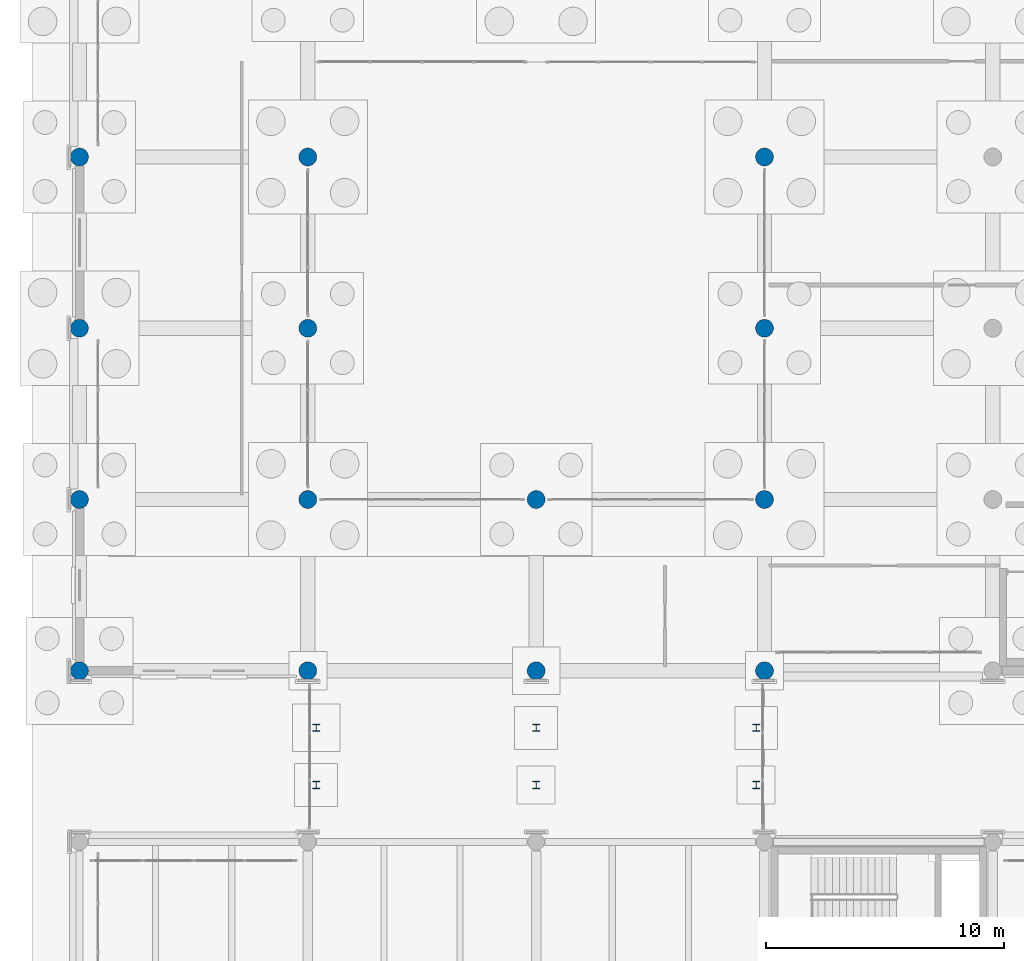
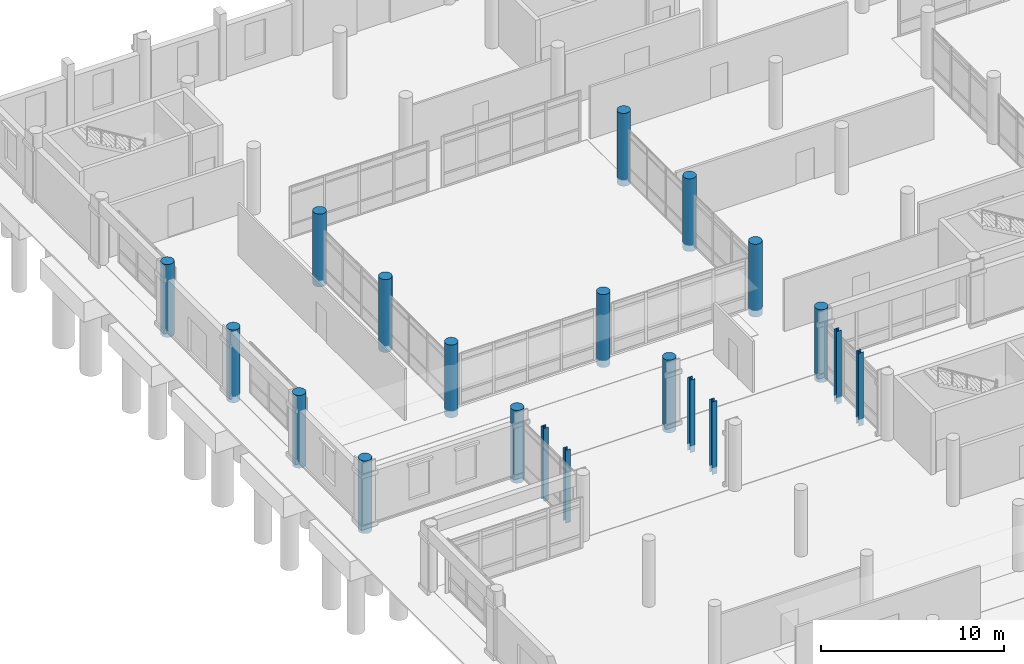
# One storey, part 16 of 196: 20 columns.
"""IFC4 building model written with IfcOpenShell, lengths in metres."""

import ifcopenshell
import ifcopenshell.guid

model = None  # the IFC model being written
_history = None  # IfcOwnerHistory: only IFC2X3 demands one
_inside = {}  # id of a spatial element -> (the spatial element, [elements in it])
_under = {}  # id of a project, library or spatial element -> (it, [spatial elements below it])
_declared = {}  # id of a project -> (the project, [libraries it declares])
_typed = {}  # id of a type object -> (the type object, [elements of that type])
_made_of = {}  # id of a material, layer set ... -> (it, [elements and type objects made of it])


def new_model(schema):
    """Start an empty IFC model of exactly this schema.

    Asked for "IFC4X3", IfcOpenShell would pick the latest addendum, in which some entities
    have other attributes; the version numbers below select the first issue.
    IFC2X3 requires an IfcOwnerHistory on every rooted entity: one is made here for all.
    """
    global model, _history
    if schema == "IFC4X3":
        model = ifcopenshell.file(schema_version=(4, 3, 0, 0))
    else:
        model = ifcopenshell.file(schema=schema)
    _inside.clear()
    _under.clear()
    _declared.clear()
    _typed.clear()
    _made_of.clear()
    _history = None
    if model.schema == "IFC2X3":
        org = make("IfcOrganization", Name="unknown")
        user = make(
            "IfcPersonAndOrganization",
            ThePerson=make("IfcPerson", FamilyName="unknown"),
            TheOrganization=org,
        )
        app = make(
            "IfcApplication",
            ApplicationDeveloper=org,
            Version="unknown",
            ApplicationFullName="unknown",
            ApplicationIdentifier="unknown",
        )
        _history = make(
            "IfcOwnerHistory",
            OwningUser=user,
            OwningApplication=app,
            ChangeAction="ADDED",
            CreationDate=0,
        )
    return model


def make(cls, **values):
    """One entity of the class cls with the attributes given. An attribute that is None is left unset."""
    return model.create_entity(
        cls, **{name: value for name, value in values.items() if value is not None}
    )


def rooted(cls, **values):
    """An entity with a GlobalId (a new one), such as an element, a storey or a relation."""
    return make(cls, GlobalId=ifcopenshell.guid.new(), OwnerHistory=_history, **values)


def si_unit(unit_type, name, prefix=None):
    """IfcSIUnit, for example si_unit("LENGTHUNIT", "METRE", prefix="MILLI")."""
    return make("IfcSIUnit", UnitType=unit_type, Prefix=prefix, Name=name)


def assignment(units):
    """IfcUnitAssignment: the units of a project."""
    return None if units is None else make("IfcUnitAssignment", Units=units)


def point(xyz):
    """IfcCartesianPoint."""
    return None if xyz is None else make("IfcCartesianPoint", Coordinates=xyz)


def direction(xyz):
    """IfcDirection."""
    return None if xyz is None else make("IfcDirection", DirectionRatios=xyz)


def frame(location, z_axis=None, x_axis=None):
    """IfcAxis2Placement3D, a coordinate frame: its origin and axes. An axis left out is left unset."""
    return make(
        "IfcAxis2Placement3D",
        Location=point(location),
        Axis=direction(z_axis),
        RefDirection=direction(x_axis),
    )


def frame_2d(location, x_axis=None):
    """IfcAxis2Placement2D, a coordinate frame in the plane: its origin and x axis."""
    return make(
        "IfcAxis2Placement2D", Location=point(location), RefDirection=direction(x_axis)
    )


def origin():
    """The frame at (0, 0, 0) with its axes left unset."""
    return frame((0.0, 0.0, 0.0))


def origin_2d():
    """The frame at (0, 0) in the plane with its x axis left unset."""
    return frame_2d((0.0, 0.0))


def place(relative_to, where):
    """IfcLocalPlacement: puts the frame where relative to a parent placement (None: the world)."""
    return make(
        "IfcLocalPlacement", PlacementRelTo=relative_to, RelativePlacement=where
    )


def context(
    kind, dimensions, precision=None, world=None, true_north=None, identifier=None
):
    """IfcGeometricRepresentationContext, for example the 3D "Model" context."""
    return make(
        "IfcGeometricRepresentationContext",
        ContextIdentifier=identifier,
        ContextType=kind,
        CoordinateSpaceDimension=dimensions,
        Precision=precision,
        WorldCoordinateSystem=world,
        TrueNorth=true_north,
    )


def subcontext(parent, identifier, kind, view, scale=None):
    """IfcGeometricRepresentationSubContext, for example "Body" below "Model"."""
    return make(
        "IfcGeometricRepresentationSubContext",
        ContextIdentifier=identifier,
        ContextType=kind,
        ParentContext=parent,
        TargetScale=scale,
        TargetView=view,
    )


def project(units=None, contexts=None):
    """IfcProject with its units and contexts."""
    return rooted(
        "IfcProject",
        Name="project",
        RepresentationContexts=contexts,
        UnitsInContext=assignment(units),
    )


def spatial(cls, under=None, at=None, **own):
    """A site, building, storey or space (cls), placed at a placement, below another one or the project."""
    s = rooted(cls, ObjectPlacement=at, **own)
    if under is not None:
        _under.setdefault(under.id(), (under, []))[1].append(s)
    return s


def profile(cls, at=None, kind="AREA", **sizes):
    """A parametric profile (cls). Its sizes go by their IFC names, for example OverallWidth=200.0."""
    return make(cls, ProfileType=kind, Position=at, **sizes)


def circle(**sizes):
    """IfcCircleProfileDef."""
    return profile("IfcCircleProfileDef", **sizes)


def i_section(**sizes):
    """IfcIShapeProfileDef."""
    return profile("IfcIShapeProfileDef", **sizes)


def extrude(swept, where, along, depth):
    """IfcExtrudedAreaSolid: the profile swept, set in the frame where, extruded along a direction by depth."""
    return make(
        "IfcExtrudedAreaSolid",
        SweptArea=swept,
        Position=where,
        ExtrudedDirection=direction(along),
        Depth=depth,
    )


def shape(context_of_items, identifier, shape_type, items):
    """IfcShapeRepresentation: the items that make up one representation, for example the "Body"."""
    return make(
        "IfcShapeRepresentation",
        ContextOfItems=context_of_items,
        RepresentationIdentifier=identifier,
        RepresentationType=shape_type,
        Items=items,
    )


def material(Name=None, Category=None):
    """IfcMaterial."""
    return make("IfcMaterial", Name=Name, Category=Category)


def material_profile(
    of_material, cross_section, Name=None, Category=None, Priority=None
):
    """IfcMaterialProfile: a cross section and its material."""
    return make(
        "IfcMaterialProfile",
        Name=Name,
        Material=of_material,
        Profile=cross_section,
        Priority=Priority,
        Category=Category,
    )


def profile_set(profiles, Name=None, composite=None):
    """IfcMaterialProfileSet."""
    return make(
        "IfcMaterialProfileSet",
        Name=Name,
        MaterialProfiles=profiles,
        CompositeProfile=composite,
    )


def made_of(thing, what):
    """Note that an element or type object is made of a material, layer set ...; save() writes the relation."""
    if what is not None:
        _made_of.setdefault(what.id(), (what, []))[1].append(thing)
    return thing


def type_object(cls, material=None, **own):
    """A type object (cls), such as IfcWallType, which elements share."""
    return made_of(rooted(cls, **own), material)


def element(
    cls,
    number,
    at=None,
    inside=None,
    cuts=None,
    type_object=None,
    material=None,
    context=None,
    identifier="Body",
    shape_type=None,
    held_by="IfcProductDefinitionShape",
    body=None,
    shapes=None,
    **own,
):
    """One element of the class cls, such as IfcWall. Its Tag is "e" and its number.

    at: its placement. inside: the storey or other place that contains it. cuts: it is an
    opening in that element (IfcRelVoidsElement). A single representation is given by context,
    identifier, shape_type and body (its items); several are given by shapes. held_by: the class
    of the entity that holds the representations. save() writes the other relations.
    """
    e = rooted(cls, Tag="e%d" % number, ObjectPlacement=at, **own)
    if body is not None:
        shapes = [shape(context, identifier, shape_type, body)]
    if shapes is not None:
        e.Representation = make(held_by, Representations=shapes)
    if inside is not None:
        _inside.setdefault(inside.id(), (inside, []))[1].append(e)
    if cuts is not None:
        rooted(
            "IfcRelVoidsElement", RelatingBuildingElement=cuts, RelatedOpeningElement=e
        )
    if type_object is not None:
        _typed.setdefault(type_object.id(), (type_object, []))[1].append(e)
    return made_of(e, material)


def aggregate(whole, parts):
    """IfcRelAggregates: a whole, such as a stair, and the parts it consists of."""
    return rooted("IfcRelAggregates", RelatingObject=whole, RelatedObjects=parts)


def save(model, path):
    """Write the relations noted so far, then the file.

    IfcRelAggregates (storeys below a building ...), IfcRelContainedInSpatialStructure (elements
    in a storey), IfcRelDefinesByType, IfcRelAssociatesMaterial and IfcRelDeclares: one each for
    every whole, place, type object, material and project.
    """
    for whole, parts in _under.values():
        aggregate(whole, parts)
    for where, things in _inside.values():
        rooted(
            "IfcRelContainedInSpatialStructure",
            RelatedElements=things,
            RelatingStructure=where,
        )
    for kind, things in _typed.values():
        rooted("IfcRelDefinesByType", RelatedObjects=things, RelatingType=kind)
    for what, things in _made_of.values():
        rooted("IfcRelAssociatesMaterial", RelatedObjects=things, RelatingMaterial=what)
    for by, libraries in _declared.values():
        rooted("IfcRelDeclares", RelatingContext=by, RelatedDefinitions=libraries)
    model.write(path)


model = new_model("IFC4")

# Units and contexts
model_context = context("Model", 3, precision=1e-05, world=origin(), true_north=direction((0.0, 1.0)))
body_context = subcontext(model_context, "Body", "Model", "MODEL_VIEW")
ifc_project = project(units=[si_unit("LENGTHUNIT", "METRE"), si_unit("AREAUNIT", "SQUARE_METRE"), si_unit("VOLUMEUNIT", "CUBIC_METRE"), si_unit("PLANEANGLEUNIT", "RADIAN"), si_unit("MASSUNIT", "GRAM", prefix="KILO")], contexts=[model_context])

# Site, building, storey
site_placement = place(None, origin())
site = spatial("IfcSite", under=ifc_project, at=site_placement, CompositionType="ELEMENT")
building_placement = place(site_placement, origin())
building = spatial("IfcBuilding", under=site, at=building_placement, Name="Asteropetra Specialist Clinic", CompositionType="ELEMENT")
storey_placement = place(building_placement, origin())
storey = spatial("IfcBuildingStorey", under=building, at=storey_placement, Name="L00", CompositionType="ELEMENT", Elevation=0.0)

# Columns
ifc_material_1 = material(Name="Concrete C35/45", Category="concrete")
ifc_material_profile_1 = material_profile(ifc_material_1, circle(Radius=0.375, at=origin_2d()), Name="RCC D750")
ifc_profile_set_1 = profile_set([ifc_material_profile_1], Name="Concrete C35/45")
column_type_1 = type_object("IfcColumnType", Name="COL-DORIC750", PredefinedType="COLUMN", material=ifc_profile_set_1)
for number, where, z_axis, x_axis, name in (
    (1, (0.0, 69.60009765625, -0.43994140625), (0.0, 0.0, 1.0), (1.0, 0.0, 0.0), "Column CCOL12-0041"),
    (2, (0.0, 76.800048828125, -0.43994140625), (0.0, 0.0, 1.0), (1.0, 0.0, 0.0), "Column CCOL12-0045"),
    (3, (0.0, 84.0, -0.43994140625), (0.0, 0.0, 1.0), (1.0, 0.0, 0.0), "Column CCOL12-0051"),
    (4, (0.0, 91.199951171875, -0.43994140625), (0.0, 0.0, 1.0), (1.0, 0.0, 0.0), "Column CCOL12-0057"),
    (5, (9.60009765625, 69.60009765625, -0.43994140625), (0.0, 0.0, 1.0), (1.0, 0.0, 0.0), "Column CCOL12-0121"),
    (6, (9.60009765625, 76.800048828125, -0.43994140625), (0.0, 0.0, 1.0), (1.0, 0.0, 0.0), "Column CCOL12-0125"),
    (7, (9.60009765625, 84.0, -0.43994140625), (0.0, 0.0, 1.0), (1.0, 0.0, 0.0), "Column CCOL12-0131"),
    (8, (9.60009765625, 91.199951171875, -0.43994140625), (0.0, 0.0, 1.0), (1.0, 0.0, 0.0), "Column CCOL12-0137"),
    (9, (19.199951171875, 69.60009765625, -0.43994140625), (0.0, 0.0, 1.0), (1.0, 0.0, 0.0), "Column CCOL12-0233"),
    (10, (19.199951171875, 76.800048828125, -0.43994140625), (0.0, 0.0, 1.0), (1.0, 0.0, 0.0), "Column CCOL12-0237"),
    (11, (28.800048828125, 69.60009765625, -0.43994140625), (0.0, 0.0, 1.0), (1.0, 0.0, 0.0), "Column CCOL12-0317"),
    (12, (28.800048828125, 76.800048828125, -0.43994140625), (0.0, 0.0, 1.0), (1.0, 0.0, 0.0), "Column CCOL12-0321"),
    (13, (28.800048828125, 84.0, -0.43994140625), (0.0, 0.0, 1.0), (1.0, 0.0, 0.0), "Column CCOL12-0327"),
    (14, (28.800048828125, 91.199951171875, -0.43994140625), (0.0, 0.0, 1.0), (1.0, 0.0, 0.0), "Column CCOL12-0333"),
):
    element("IfcColumn", number, at=place(storey_placement, frame(where, z_axis=z_axis, x_axis=x_axis)), inside=storey, type_object=column_type_1, Name=name, PredefinedType="COLUMN", context=body_context, shape_type="SweptSolid", body=[
        extrude(circle(Radius=0.375, at=origin_2d()), origin(), (0.0, 0.0, 1.0), 4.85986328125),
    ])
ifc_material_2 = material(Name="Steel S355", Category="steel")
ifc_material_profile_2 = material_profile(ifc_material_2, i_section(OverallWidth=0.300048828125, OverallDepth=0.300048828125, WebThickness=0.010986328125, FlangeThickness=0.01904296875, FilletRadius=0.027099609375, at=origin_2d()), Name="HEB 300")
ifc_profile_set_2 = profile_set([ifc_material_profile_2], Name="Steel S355")
column_type_2 = type_object("IfcColumnType", Name="COL-STL-HEB300", PredefinedType="COLUMN", material=ifc_profile_set_2)
for number, where, z_axis, x_axis, name in (
    (15, (9.949951171875, 64.800048828125, -0.43994140625), (0.0, 0.0, 1.0), (1.0, 0.0, 0.0), "Column CCOLS1-0169"),
    (16, (9.949951171875, 67.199951171875, -0.43994140625), (0.0, 0.0, 1.0), (1.0, 0.0, 0.0), "Column CCOLS1-0173"),
    (17, (19.199951171875, 64.800048828125, -0.43994140625), (0.0, 0.0, 1.0), (1.0, 0.0, 0.0), "Column CCOLS1-0225"),
    (18, (19.199951171875, 67.199951171875, -0.43994140625), (0.0, 0.0, 1.0), (1.0, 0.0, 0.0), "Column CCOLS1-0229"),
    (19, (28.449951171875, 64.800048828125, -0.43994140625), (0.0, 0.0, 1.0), (1.0, 0.0, 0.0), "Column CCOLS1-0269"),
    (20, (28.449951171875, 67.199951171875, -0.43994140625), (0.0, 0.0, 1.0), (1.0, 0.0, 0.0), "Column CCOLS1-0273"),
):
    element("IfcColumn", number, at=place(storey_placement, frame(where, z_axis=z_axis, x_axis=x_axis)), inside=storey, type_object=column_type_2, Name=name, PredefinedType="COLUMN", context=body_context, shape_type="SweptSolid", body=[
        extrude(i_section(OverallWidth=0.300048828125, OverallDepth=0.300048828125, WebThickness=0.010986328125, FlangeThickness=0.01904296875, FilletRadius=0.027099609375, at=origin_2d()), origin(), (0.0, 0.0, 1.0), 4.85986328125),
    ])

save(model, "model.ifc")
